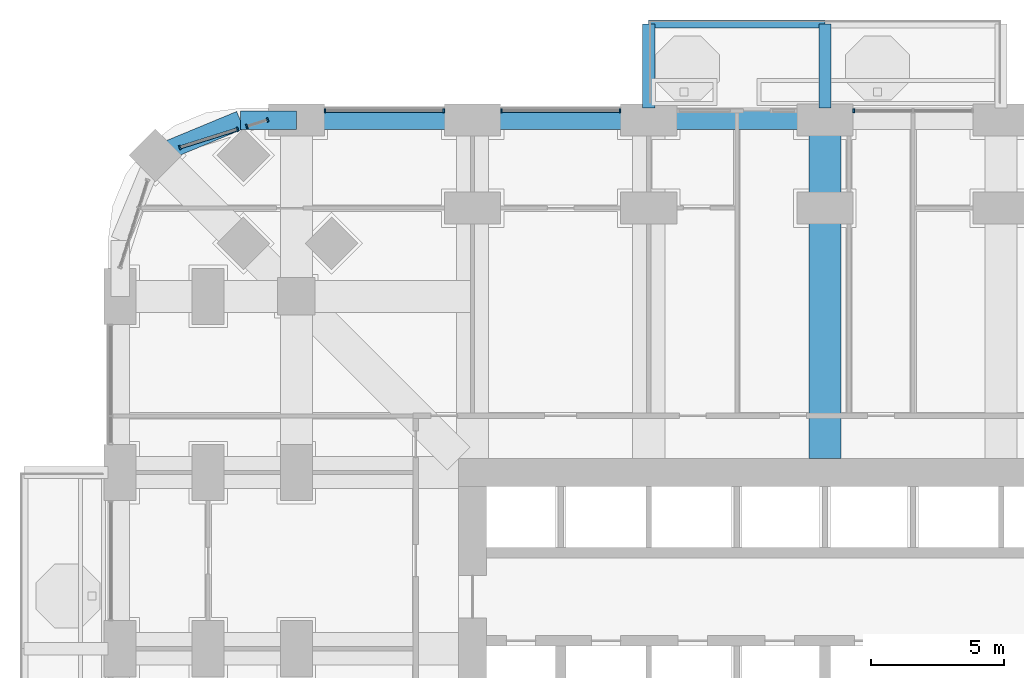
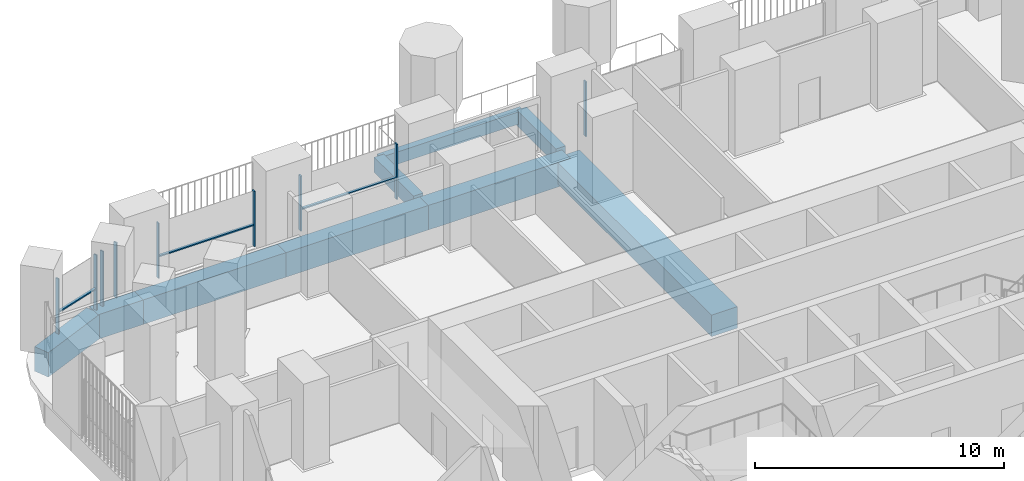
# One storey, part 7 of 26: 12 members, 9 beams, 5 elements without a shape of their own.
"""IFC4 building model written with IfcOpenShell, lengths in metres."""

from ifc_helpers import new_model, si_unit, direction, frame, origin, origin_2d, place, context, subcontext, project, spatial, rectangle, extrude, material, material_profile, profile_set, type_object, element, aggregate, save


model = new_model("IFC4")

# Units and contexts
model_context = context("Model", 3, precision=1e-05, world=origin(), true_north=direction((0.0, 1.0)))
body_context = subcontext(model_context, "Body", "Model", "MODEL_VIEW")
ifc_project = project(units=[si_unit("LENGTHUNIT", "METRE"), si_unit("AREAUNIT", "SQUARE_METRE"), si_unit("VOLUMEUNIT", "CUBIC_METRE"), si_unit("PLANEANGLEUNIT", "RADIAN"), si_unit("MASSUNIT", "GRAM", prefix="KILO")], contexts=[model_context])

# Site, building, storey
site_placement = place(None, origin())
site = spatial("IfcSite", under=ifc_project, at=site_placement, CompositionType="ELEMENT")
building_placement = place(site_placement, origin())
building = spatial("IfcBuilding", under=site, at=building_placement, Name="Cobogo Forest Laboratory Tower", CompositionType="ELEMENT")
storey_placement = place(building_placement, frame((0.0, 0.0, 25.5)))
storey = spatial("IfcBuildingStorey", under=building, at=storey_placement, Name="L05", CompositionType="ELEMENT", Elevation=25.5)

# Beams
ifc_material_1 = material(Name="Concrete HA-40 (C40/50)", Category="concrete")
ifc_material_profile_1 = material_profile(ifc_material_1, rectangle(XDim=0.449951171875, YDim=0.75, at=origin_2d()), Name="RC 450x750")
ifc_profile_set_1 = profile_set([ifc_material_profile_1], Name="Concrete HA-40 (C40/50)")
beam_type_1 = type_object("IfcBeamType", Name="Balcony cantilever beam 450x750", PredefinedType="BEAM", material=ifc_profile_set_1)
for number, where, z_axis, x_axis, name in (
    (1, (19.800048828125, 46.64990234375, -0.625), (0.0, 1.0, 0.0), (-1.0, 0.0, 0.0), "CB1 BAL-N1-C1 L05"),
    (2, (26.39990234375, 46.64990234375, -0.625), (0.0, 1.0, 0.0), (-1.0, 0.0, 0.0), "CB1 BAL-N1-C2 L05"),
):
    element("IfcBeam", number, at=place(storey_placement, frame(where, z_axis=z_axis, x_axis=x_axis)), inside=storey, type_object=beam_type_1, Name=name, PredefinedType="BEAM", context=body_context, shape_type="SweptSolid", body=[
        extrude(rectangle(XDim=0.449951171875, YDim=0.75, at=origin_2d()), origin(), (0.0, 0.0, 1.0), 3.150146484375),
    ])
ifc_material_profile_2 = material_profile(ifc_material_1, rectangle(XDim=0.300048828125, YDim=0.60009765625, at=origin_2d()), Name="RC 300x600")
ifc_profile_set_2 = profile_set([ifc_material_profile_2], Name="Concrete HA-40 (C40/50)")
beam_type_2 = type_object("IfcBeamType", Name="Balcony edge beam 300x600", PredefinedType="BEAM", material=ifc_profile_set_2)
beam_1_placement = place(storey_placement, frame((19.800048828125, 49.800048828125, -0.550048828125), z_axis=(1.0, 0.0, 0.0), x_axis=(0.0, 1.0, 0.0)))
element("IfcBeam", 3, at=beam_1_placement, inside=storey, type_object=beam_type_2, Name="BB1 BAL-N1-T1 L05", PredefinedType="BEAM", context=body_context, shape_type="SweptSolid", body=[
    extrude(rectangle(XDim=0.300048828125, YDim=0.60009765625, at=origin_2d()), origin(), (0.0, 0.0, 1.0), 6.599853515625),
])
ifc_material_profile_3 = material_profile(ifc_material_1, rectangle(XDim=1.199951171875, YDim=1.050048828125, at=origin_2d()), Name="RC 1200x1050")
ifc_profile_set_3 = profile_set([ifc_material_profile_3], Name="Concrete HA-40 (C40/50)")
beam_type_3 = type_object("IfcBeamType", Name="Laboratory floor wide beam 1200x1050", PredefinedType="BEAM", material=ifc_profile_set_3)
beam_2_placement = place(storey_placement, frame((26.39990234375, 33.52490234375, -0.824951171875), z_axis=(0.0, 1.0, 0.0), x_axis=(-1.0, 0.0, 0.0)))
element("IfcBeam", 4, at=beam_2_placement, inside=storey, type_object=beam_type_3, Name="RB1 R-5-N L05", PredefinedType="BEAM", context=body_context, shape_type="SweptSolid", body=[
    extrude(rectangle(XDim=1.199951171875, YDim=1.050048828125, at=origin_2d()), origin(), (0.0, 0.0, 1.0), 12.675048828125),
])

# Curtain wall, member
ifc_material_2 = material(Name="Aluminium curtain wall", Category="aluminium")
curtain_wall_type = type_object("IfcCurtainWallType", Name="CW-1 unitised curtain wall, clear glazing, laboratory floors zones A and B", PredefinedType="USERDEFINED", material=ifc_material_2)
curtain_wall_1_placement = place(storey_placement, origin())
curtain_wall_1 = element("IfcCurtainWall", 5, at=curtain_wall_1_placement, inside=storey, type_object=curtain_wall_type, Name="Curtain wall 20 L05", ObjectType="UNITISED CURTAIN WALL", PredefinedType="USERDEFINED")
ifc_material_3 = material(Name="Aluminium mullion", Category="aluminium")
ifc_material_profile_4 = material_profile(ifc_material_3, rectangle(XDim=0.06005859375, YDim=0.159912109375, at=origin_2d()), Name="AL 60x160")
ifc_profile_set_4 = profile_set([ifc_material_profile_4], Name="Aluminium mullion")
member_type_1 = type_object("IfcMemberType", Name="MU-1 aluminium mullion 60x160", PredefinedType="MULLION", material=ifc_profile_set_4)
member_1_placement = place(storey_placement, frame((27.47998046875, 46.550048828125, 0.0), z_axis=(0.0, 0.0, 1.0), x_axis=(-1.0, 0.0, 0.0)))
member_1 = element("IfcMember", 6, at=member_1_placement, type_object=member_type_1, Name="CW-1 mullion 3", PredefinedType="MULLION", context=body_context, shape_type="SweptSolid", body=[
    extrude(rectangle(XDim=0.06005859375, YDim=0.159912109375, at=origin_2d()), origin(), (0.0, 0.0, 1.0), 2.699951171875),
])
aggregate(curtain_wall_1, [member_1])

# Curtain wall, members
curtain_wall_2_placement = place(storey_placement, origin())
curtain_wall_2 = element("IfcCurtainWall", 7, at=curtain_wall_2_placement, inside=storey, type_object=curtain_wall_type, Name="Curtain wall 22 L05", ObjectType="UNITISED CURTAIN WALL", PredefinedType="USERDEFINED")
member_2_placement = place(storey_placement, frame((18.719970703125, 46.550048828125, 0.0), z_axis=(0.0, 0.0, 1.0), x_axis=(-1.0, 0.0, 0.0)))
member_2 = element("IfcMember", 8, at=member_2_placement, type_object=member_type_1, Name="CW-1 mullion 1", PredefinedType="MULLION", context=body_context, shape_type="SweptSolid", body=[
    extrude(rectangle(XDim=0.06005859375, YDim=0.159912109375, at=origin_2d()), origin(), (0.0, 0.0, 1.0), 2.699951171875),
])
member_3_placement = place(storey_placement, frame((14.280029296875, 46.550048828125, 0.0), z_axis=(0.0, 0.0, 1.0), x_axis=(-1.0, 0.0, 0.0)))
member_3 = element("IfcMember", 9, at=member_3_placement, type_object=member_type_1, Name="CW-1 mullion 2", PredefinedType="MULLION", context=body_context, shape_type="SweptSolid", body=[
    extrude(rectangle(XDim=0.06005859375, YDim=0.159912109375, at=origin_2d()), origin(), (0.0, 0.0, 1.0), 2.699951171875),
])

curtain_wall_3_placement = place(storey_placement, origin())
curtain_wall_3 = element("IfcCurtainWall", 10, at=curtain_wall_3_placement, inside=storey, type_object=curtain_wall_type, Name="Curtain wall 23 L05", ObjectType="UNITISED CURTAIN WALL", PredefinedType="USERDEFINED")
member_4_placement = place(storey_placement, frame((12.1201171875, 46.550048828125, 0.0), z_axis=(0.0, 0.0, 1.0), x_axis=(-1.0, 0.0, 0.0)))
member_4 = element("IfcMember", 11, at=member_4_placement, type_object=member_type_1, Name="CW-1 mullion 1", PredefinedType="MULLION", context=body_context, shape_type="SweptSolid", body=[
    extrude(rectangle(XDim=0.06005859375, YDim=0.159912109375, at=origin_2d()), origin(), (0.0, 0.0, 1.0), 2.699951171875),
])
member_5_placement = place(storey_placement, frame((7.679931640625, 46.550048828125, 0.0), z_axis=(0.0, 0.0, 1.0), x_axis=(-1.0, 0.0, 0.0)))
member_5 = element("IfcMember", 12, at=member_5_placement, type_object=member_type_1, Name="CW-1 mullion 2", PredefinedType="MULLION", context=body_context, shape_type="SweptSolid", body=[
    extrude(rectangle(XDim=0.06005859375, YDim=0.159912109375, at=origin_2d()), origin(), (0.0, 0.0, 1.0), 2.699951171875),
])

curtain_wall_4_placement = place(storey_placement, origin())
curtain_wall_4 = element("IfcCurtainWall", 13, at=curtain_wall_4_placement, inside=storey, type_object=curtain_wall_type, Name="Curtain wall 24 L05", ObjectType="UNITISED CURTAIN WALL", PredefinedType="USERDEFINED")
member_6_placement = place(storey_placement, frame((5.521484375, 46.20947265625, 0.0), z_axis=(0.0, 0.0, 1.0), x_axis=(-0.953581504428, -0.301135043481, 0.0)))
member_6 = element("IfcMember", 14, at=member_6_placement, type_object=member_type_1, Name="CW-1 mullion 1", PredefinedType="MULLION", context=body_context, shape_type="SweptSolid", body=[
    extrude(rectangle(XDim=0.06005859375, YDim=0.159912109375, at=origin_2d()), origin(), (0.0, 0.0, 1.0), 2.699951171875),
])
member_7_placement = place(storey_placement, frame((4.74658203125, 45.96484375, 0.0), z_axis=(0.0, 0.0, 1.0), x_axis=(-0.953581504428, -0.301135043481, 0.0)))
member_7 = element("IfcMember", 15, at=member_7_placement, type_object=member_type_1, Name="CW-1 mullion 2", PredefinedType="MULLION", context=body_context, shape_type="SweptSolid", body=[
    extrude(rectangle(XDim=0.06005859375, YDim=0.159912109375, at=origin_2d()), origin(), (0.0, 0.0, 1.0), 2.699951171875),
])
aggregate(curtain_wall_4, [member_6, member_7])

curtain_wall_5_placement = place(storey_placement, origin())
curtain_wall_5 = element("IfcCurtainWall", 16, at=curtain_wall_5_placement, inside=storey, type_object=curtain_wall_type, Name="Curtain wall 25 L05", ObjectType="UNITISED CURTAIN WALL", PredefinedType="USERDEFINED")
member_8_placement = place(storey_placement, frame((4.39697265625, 45.854248046875, 0.0), z_axis=(0.0, 0.0, 1.0), x_axis=(-0.953581409645, -0.301135343623, 0.0)))
member_8 = element("IfcMember", 17, at=member_8_placement, type_object=member_type_1, Name="CW-1 mullion 1", PredefinedType="MULLION", context=body_context, shape_type="SweptSolid", body=[
    extrude(rectangle(XDim=0.06005859375, YDim=0.159912109375, at=origin_2d()), origin(), (0.0, 0.0, 1.0), 2.699951171875),
])
member_9_placement = place(storey_placement, frame((2.23876953125, 45.1728515625, 0.0), z_axis=(0.0, 0.0, 1.0), x_axis=(-0.953581409645, -0.301135343623, 0.0)))
member_9 = element("IfcMember", 18, at=member_9_placement, type_object=member_type_1, Name="CW-1 mullion 2", PredefinedType="MULLION", context=body_context, shape_type="SweptSolid", body=[
    extrude(rectangle(XDim=0.06005859375, YDim=0.159912109375, at=origin_2d()), origin(), (0.0, 0.0, 1.0), 2.699951171875),
])

# Beams
ifc_material_profile_5 = material_profile(ifc_material_1, rectangle(XDim=0.699951171875, YDim=1.199951171875, at=origin_2d()), Name="RC 700x1200")
ifc_profile_set_5 = profile_set([ifc_material_profile_5], Name="Concrete HA-40 (C40/50)")
beam_type_4 = type_object("IfcBeamType", Name="Perimeter edge beam 700x1200", PredefinedType="BEAM", material=ifc_profile_set_5)
beam_3_placement = place(storey_placement, frame((6.60009765625, 46.199951171875, -0.89990234375), z_axis=(1.0, 0.0, 0.0), x_axis=(0.0, 1.0, 0.0)))
element("IfcBeam", 19, at=beam_3_placement, inside=storey, type_object=beam_type_4, Name="EB1 E-N1 L05", PredefinedType="BEAM", context=body_context, shape_type="SweptSolid", body=[
    extrude(rectangle(XDim=0.699951171875, YDim=1.199951171875, at=origin_2d()), origin(), (0.0, 0.0, 1.0), 6.599853515625),
])
beam_4_placement = place(storey_placement, frame((13.199951171875, 46.199951171875, -0.89990234375), z_axis=(1.0, 0.0, 0.0), x_axis=(0.0, 1.0, 0.0)))
element("IfcBeam", 20, at=beam_4_placement, inside=storey, type_object=beam_type_4, Name="EB1 E-N2 L05", PredefinedType="BEAM", context=body_context, shape_type="SweptSolid", body=[
    extrude(rectangle(XDim=0.699951171875, YDim=1.199951171875, at=origin_2d()), origin(), (0.0, 0.0, 1.0), 6.60009765625),
])
beam_5_placement = place(storey_placement, frame((19.800048828125, 46.199951171875, -0.89990234375), z_axis=(1.0, 0.0, 0.0), x_axis=(0.0, 1.0, 0.0)))
element("IfcBeam", 21, at=beam_5_placement, inside=storey, type_object=beam_type_4, Name="EB1 E-N3 L05", PredefinedType="BEAM", context=body_context, shape_type="SweptSolid", body=[
    extrude(rectangle(XDim=0.699951171875, YDim=1.199951171875, at=origin_2d()), origin(), (0.0, 0.0, 1.0), 6.599853515625),
])
beam_6_placement = place(storey_placement, frame((6.60009765625, 46.199951171875, -0.89990234375), z_axis=(-1.0, 0.0, 0.0), x_axis=(0.0, -1.0, 0.0)))
element("IfcBeam", 22, at=beam_6_placement, inside=storey, type_object=beam_type_4, Name="EB1 E-NWN1 L05", PredefinedType="BEAM", context=body_context, shape_type="SweptSolid", body=[
    extrude(rectangle(XDim=0.699951171875, YDim=1.199951171875, at=origin_2d()), origin(), (0.0, 0.0, 1.0), 2.10009765625),
])
beam_7_placement = place(storey_placement, frame((4.5, 46.199951171875, -0.89990234375), z_axis=(-0.923890694089, -0.382656484822, 0.0), x_axis=(0.382656484822, -0.923890694089, 0.0)))
element("IfcBeam", 23, at=beam_7_placement, inside=storey, type_object=beam_type_4, Name="EB1 E-NWN2 L05", PredefinedType="BEAM", context=body_context, shape_type="SweptSolid", body=[
    extrude(rectangle(XDim=0.699951171875, YDim=1.199951171875, at=origin_2d()), origin(), (0.0, 0.0, 1.0), 3.444091796875),
])

# Member
ifc_material_4 = material(Name="Aluminium transom", Category="aluminium")
ifc_material_profile_6 = material_profile(ifc_material_4, rectangle(XDim=0.1201171875, YDim=0.06005859375, at=origin_2d()), Name="AL 60x120")
ifc_profile_set_6 = profile_set([ifc_material_profile_6], Name="Aluminium transom")
member_type_2 = type_object("IfcMemberType", Name="TR-1 aluminium transom 60x120", PredefinedType="USERDEFINED", material=ifc_profile_set_6)
member_10_placement = place(storey_placement, frame((18.68994140625, 46.550048828125, 1.050048828125), z_axis=(-1.0, 0.0, 0.0), x_axis=(0.0, -1.0, 0.0)))
member_10 = element("IfcMember", 24, at=member_10_placement, type_object=member_type_2, Name="CW-1 transom 1.1", ObjectType="TRANSOM", PredefinedType="USERDEFINED", context=body_context, shape_type="SweptSolid", body=[
    extrude(rectangle(XDim=0.1201171875, YDim=0.06005859375, at=origin_2d()), origin(), (0.0, 0.0, 1.0), 4.3798828125),
])

aggregate(curtain_wall_2, [member_2, member_3, member_10])

member_11_placement = place(storey_placement, frame((12.090087890625, 46.550048828125, 1.050048828125), z_axis=(-1.0, 0.0, 0.0), x_axis=(0.0, -1.0, 0.0)))
member_11 = element("IfcMember", 25, at=member_11_placement, type_object=member_type_2, Name="CW-1 transom 1.1", ObjectType="TRANSOM", PredefinedType="USERDEFINED", context=body_context, shape_type="SweptSolid", body=[
    extrude(rectangle(XDim=0.1201171875, YDim=0.06005859375, at=origin_2d()), origin(), (0.0, 0.0, 1.0), 4.380126953125),
])

aggregate(curtain_wall_3, [member_4, member_5, member_11])

member_12_placement = place(storey_placement, frame((4.368408203125, 45.84521484375, 1.050048828125), z_axis=(-0.953604433273, -0.301062426819, 0.0), x_axis=(0.301062426819, -0.953604433273, 0.0)))
member_12 = element("IfcMember", 26, at=member_12_placement, type_object=member_type_2, Name="CW-1 transom 1.1", ObjectType="TRANSOM", PredefinedType="USERDEFINED", context=body_context, shape_type="SweptSolid", body=[
    extrude(rectangle(XDim=0.1201171875, YDim=0.06005859375, at=origin_2d()), origin(), (0.0, 0.0, 1.0), 2.203369140625),
])

aggregate(curtain_wall_5, [member_8, member_9, member_12])

save(model, "model.ifc")
